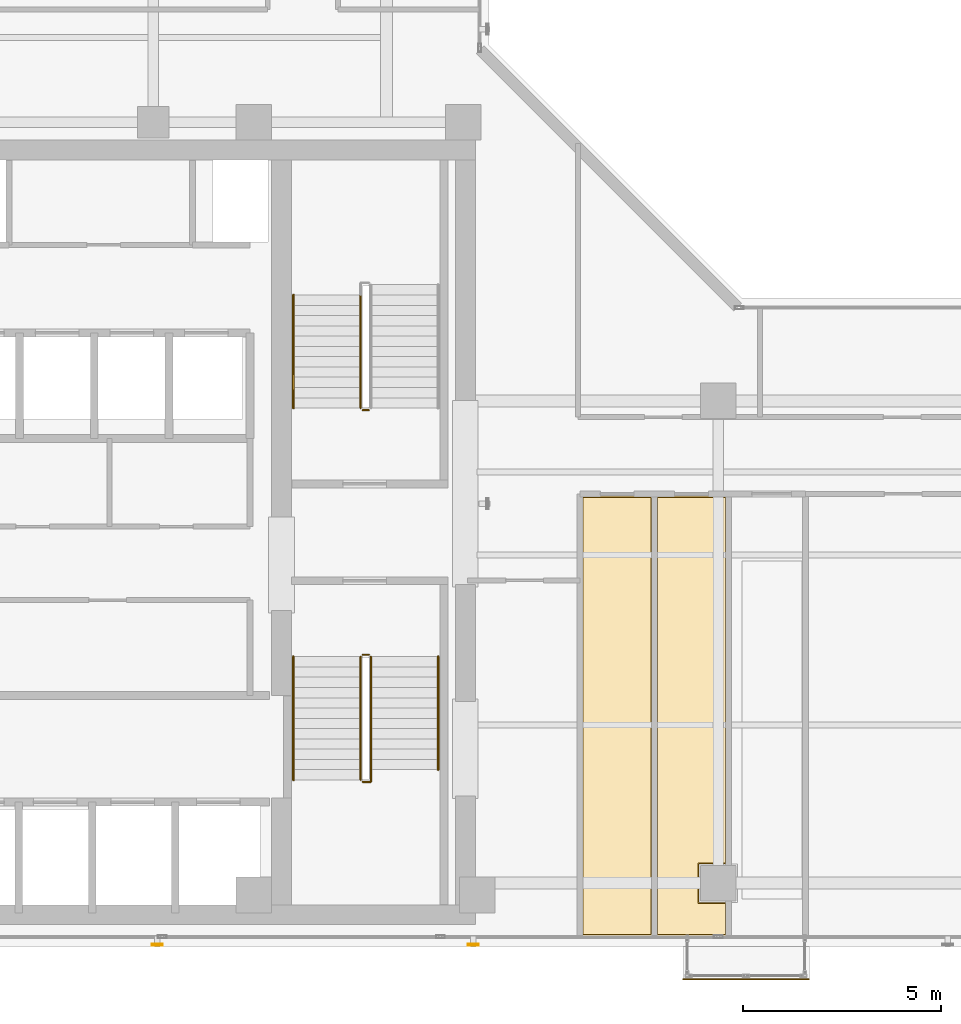
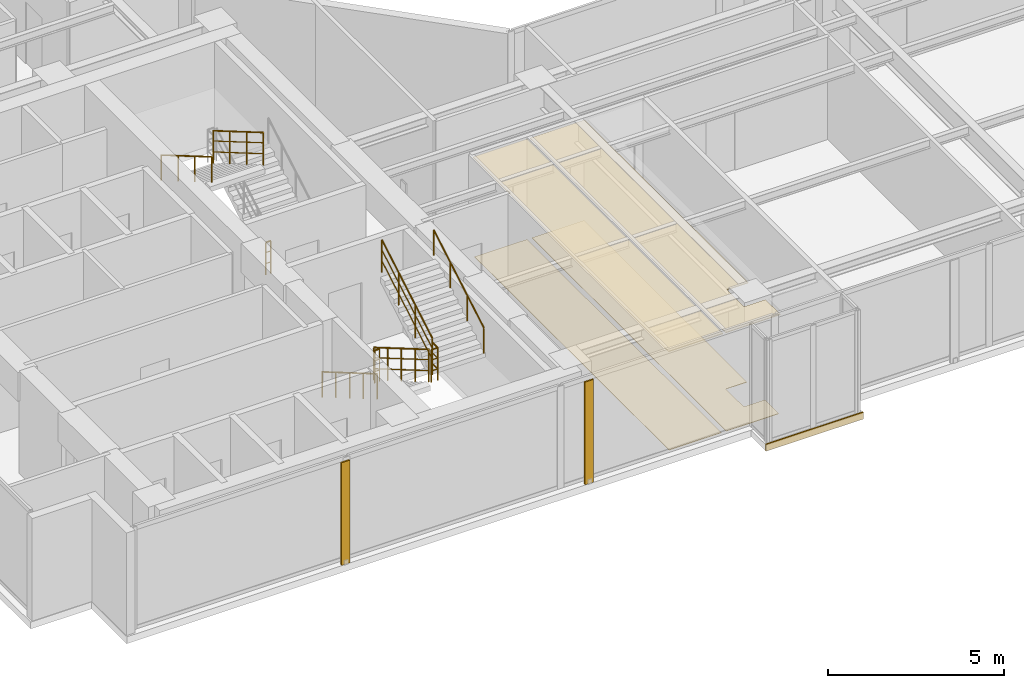
# One storey, part 20 of 22: 9 railings, 5 coverings, 2 shading devices.
"""IFC4 building model written with IfcOpenShell, lengths in metres."""

from ifc_helpers import new_model, si_unit, direction, frame, origin, origin_2d, place, context, subcontext, project, spatial, polyline, rectangle, hollow_rectangle, circle, outline, extrude, material, layer, layer_set, material_profile, profile_set, type_object, element, save


model = new_model("IFC4")

# Units and contexts
model_context = context("Model", 3, precision=1e-05, world=origin(), true_north=direction((0.0, 1.0)))
body_context = subcontext(model_context, "Body", "Model", "MODEL_VIEW")
ifc_project = project(units=[si_unit("LENGTHUNIT", "METRE"), si_unit("AREAUNIT", "SQUARE_METRE"), si_unit("VOLUMEUNIT", "CUBIC_METRE"), si_unit("PLANEANGLEUNIT", "RADIAN"), si_unit("MASSUNIT", "GRAM", prefix="KILO")], contexts=[model_context])

# Site, building, storey
site_placement = place(None, origin())
site = spatial("IfcSite", under=ifc_project, at=site_placement, CompositionType="ELEMENT")
building_placement = place(site_placement, origin())
building = spatial("IfcBuilding", under=site, at=building_placement, Name="Kolvaren Waterfront Exchange", CompositionType="ELEMENT")
storey_placement = place(building_placement, frame((0.0, 0.0, 262.800048828125)))
storey = spatial("IfcBuildingStorey", under=building, at=storey_placement, Name="L67", CompositionType="ELEMENT", Elevation=262.800048828125)

# Coverings
ifc_material_1 = material(Name="Mineral fibre acoustic ceiling tile")
ifc_layer_1 = layer(ifc_material_1, 0.02490234375, Name="Mineral fibre acoustic ceiling tile")
ifc_layer_set_1 = layer_set([ifc_layer_1], Name="Mineral fibre acoustic ceiling tile")
covering_type_1 = type_object("IfcCoveringType", Name="ARC-CEIL-ACOUSTIC-25", PredefinedType="CEILING", material=ifc_layer_set_1)
covering_1_placement = place(storey_placement, frame((0.0, 0.0, 3.445068359375)))
element("IfcCovering", 1, at=covering_1_placement, inside=storey, type_object=covering_type_1, Name="L67 acoustic suspended ceiling 1", PredefinedType="CEILING", context=body_context, shape_type="SweptSolid", body=[
    extrude(outline(polyline([(25.534912109375, 3.864990234375), (25.534912109375, 14.9951171875), (23.7451171875, 14.9951171875), (23.7451171875, 3.864990234375), (25.534912109375, 3.864990234375)])), origin(), (0.0, 0.0, 1.0), 0.02490234375),
])
covering_2_placement = place(storey_placement, frame((0.0, 0.0, 3.445068359375)))
element("IfcCovering", 2, at=covering_2_placement, inside=storey, type_object=covering_type_1, Name="L67 acoustic suspended ceiling 2", PredefinedType="CEILING", context=body_context, shape_type="SweptSolid", body=[
    extrude(outline(polyline([(27.4150390625, 4.7099609375), (26.7099609375, 4.7099609375), (26.7099609375, 5.68994140625), (27.4150390625, 5.68994140625), (27.4150390625, 14.9951171875), (25.625, 14.9951171875), (25.625, 3.864990234375), (27.4150390625, 3.864990234375), (27.4150390625, 4.7099609375)])), origin(), (0.0, 0.0, 1.0), 0.02490234375),
])
ifc_material_2 = material(Name="Anodised bronze fascia aluminium", Category="aluminium")
ifc_layer_2 = layer(ifc_material_2, 0.034912109375, Name="Anodised bronze fascia aluminium")
ifc_layer_set_2 = layer_set([ifc_layer_2], Name="Anodised bronze fascia aluminium")
covering_type_2 = type_object("IfcCoveringType", Name="ARC-CLAD-BRONZE-35", PredefinedType="CLADDING", material=ifc_layer_set_2)
covering_3_placement = place(storey_placement, frame((27.89990234375, 2.77001953125, -0.22021484375), z_axis=(0.0, 0.0, 1.0), x_axis=(1.0, 0.0, 0.0)))
element("IfcCovering", 3, at=covering_3_placement, inside=storey, type_object=covering_type_2, Name="L67 ribbed anodised bronze bay-box fascia", PredefinedType="CLADDING", context=body_context, shape_type="SweptSolid", body=[
    extrude(rectangle(XDim=3.199951171875, YDim=0.034912109375, at=origin_2d()), origin(), (0.0, 0.0, 1.0), 0.239990234375),
])

# Shading devices
ifc_material_3 = material(Name="Anodised bronze aluminium 6063-T6", Category="aluminium")
ifc_material_profile = material_profile(ifc_material_3, hollow_rectangle(XDim=0.054931640625, YDim=0.280029296875, WallThickness=0.00439453125, at=origin_2d()), Name="BRZ-FIN-280x55x4.5")
ifc_profile_set = profile_set([ifc_material_profile], Name="Anodised bronze aluminium 6063-T6")
shading_device_type = type_object("IfcShadingDeviceType", Name="ARC-FIN-280", PredefinedType="USERDEFINED", material=ifc_profile_set)
for number, where, z_axis, x_axis, name in (
    (4, (13.0, 3.639892578125, 0.0), (0.0, 0.0, 1.0), (0.0, -1.0, 0.0), "L67 anodised bronze solar shading fin FIN-L67-S1"),
    (5, (21.0, 3.639892578125, 0.0), (0.0, 0.0, 1.0), (0.0, -1.0, 0.0), "L67 anodised bronze solar shading fin FIN-L67-S2"),
):
    element("IfcShadingDevice", number, at=place(storey_placement, frame(where, z_axis=z_axis, x_axis=x_axis)), inside=storey, type_object=shading_device_type, Name=name, ObjectType="SOLAR FIN", PredefinedType="USERDEFINED", context=body_context, shape_type="SweptSolid", body=[
        extrude(hollow_rectangle(XDim=0.054931640625, YDim=0.280029296875, WallThickness=0.00439453125, at=origin_2d()), origin(), (0.0, 0.0, 1.0), 3.56005859375),
    ])

# Coverings
ifc_material_4 = material(Name="Slip-resistant porcelain tile")
ifc_layer_3 = layer(ifc_material_4, 0.014892578125, Name="Slip-resistant porcelain tile")
ifc_layer_set_3 = layer_set([ifc_layer_3], Name="Slip-resistant porcelain tile")
covering_type_3 = type_object("IfcCoveringType", Name="ARC-FLR-PORC-15", PredefinedType="FLOORING", material=ifc_layer_set_3)
covering_4_placement = place(storey_placement, origin())
element("IfcCovering", 6, at=covering_4_placement, inside=storey, type_object=covering_type_3, Name="L67 floor finish 1", PredefinedType="FLOORING", context=body_context, shape_type="SweptSolid", body=[
    extrude(outline(polyline([(23.780029296875, 14.9599609375), (23.780029296875, 3.89990234375), (25.5, 3.89990234375), (25.5, 14.9599609375), (23.780029296875, 14.9599609375)])), origin(), (0.0, 0.0, 1.0), 0.014892578125),
])
covering_5_placement = place(storey_placement, origin())
element("IfcCovering", 7, at=covering_5_placement, inside=storey, type_object=covering_type_3, Name="L67 floor finish 2", PredefinedType="FLOORING", context=body_context, shape_type="SweptSolid", body=[
    extrude(outline(polyline([(25.659912109375, 14.9599609375), (25.659912109375, 3.89990234375), (27.3798828125, 3.89990234375), (27.3798828125, 4.68994140625), (26.68994140625, 4.68994140625), (26.68994140625, 5.7099609375), (27.3798828125, 5.7099609375), (27.3798828125, 14.9599609375), (25.659912109375, 14.9599609375)])), origin(), (0.0, 0.0, 1.0), 0.014892578125),
])

# Railings
ifc_material_5 = material(Name="Stainless steel 316", Category="steel")
railing_type_1 = type_object("IfcRailingType", Name="ARC-GUARD-STAIR", PredefinedType="GUARDRAIL", material=ifc_material_5)
railing_1_placement = place(storey_placement, frame((18.14990234375, 10.929931640625, 0.15185546875)))
element("IfcRailing", 8, at=railing_1_placement, inside=storey, type_object=railing_type_1, Name="L67 ST1 stair guard 1", PredefinedType="GUARDRAIL", context=body_context, shape_type="SweptSolid", body=[
    extrude(circle(Radius=0.02392578125, at=origin_2d()), frame((0.0, 0.0, 1.1259765625), z_axis=(0.0, -0.86329090724, 0.504706656858), x_axis=(1.0, 0.0, 0.0)), (0.0, 0.0, 1.0), 3.614013671875),
    extrude(circle(Radius=0.01611328125, at=origin_2d()), frame((0.0, 0.0, 0.390869140625), z_axis=(0.0, -0.86329090724, 0.504706656858), x_axis=(1.0, 0.0, 0.0)), (0.0, 0.0, 1.0), 3.614013671875),
    extrude(circle(Radius=0.01611328125, at=origin_2d()), frame((0.0, 0.0, 0.7705078125), z_axis=(0.0, -0.86329090724, 0.504706656858), x_axis=(1.0, 0.0, 0.0)), (0.0, 0.0, 1.0), 3.614013671875),
    extrude(circle(Radius=0.02099609375, at=origin_2d()), origin(), (0.0, 0.0, 1.0), 1.101806640625),
    extrude(circle(Radius=0.02099609375, at=origin_2d()), frame((0.0, -0.780029296875, 0.4560546875)), (0.0, 0.0, 1.0), 1.101806640625),
    extrude(circle(Radius=0.02099609375, at=origin_2d()), frame((0.0, -1.56005859375, 0.912109375)), (0.0, 0.0, 1.0), 1.101806640625),
    extrude(circle(Radius=0.02099609375, at=origin_2d()), frame((0.0, -2.33984375, 1.367919921875)), (0.0, 0.0, 1.0), 1.101806640625),
    extrude(circle(Radius=0.02099609375, at=origin_2d()), frame((0.0, -3.119873046875, 1.823974609375)), (0.0, 0.0, 1.0), 1.101806640625),
])
railing_2_placement = place(storey_placement, frame((18.199951171875, 7.760009765625, 1.975830078125)))
element("IfcRailing", 9, at=railing_2_placement, inside=storey, type_object=railing_type_1, Name="L67 ST1 stair guard 2", PredefinedType="GUARDRAIL", context=body_context, shape_type="SweptSolid", body=[
    extrude(circle(Radius=0.02392578125, at=origin_2d()), frame((0.0, 0.0, 1.1259765625), z_axis=(1.0, 0.0, 0.0), x_axis=(0.0, 1.0, 0.0)), (0.0, 0.0, 1.0), 0.2099609375),
    extrude(circle(Radius=0.01611328125, at=origin_2d()), frame((0.0, 0.0, 0.390869140625), z_axis=(1.0, 0.0, 0.0), x_axis=(0.0, 1.0, 0.0)), (0.0, 0.0, 1.0), 0.2099609375),
    extrude(circle(Radius=0.01611328125, at=origin_2d()), frame((0.0, 0.0, 0.7705078125), z_axis=(1.0, 0.0, 0.0), x_axis=(0.0, 1.0, 0.0)), (0.0, 0.0, 1.0), 0.2099609375),
    extrude(circle(Radius=0.02392578125, at=origin_2d()), frame((0.2099609375, 0.0, 1.1259765625), z_axis=(0.0, 1.0, 0.0), x_axis=(-1.0, 0.0, 0.0)), (0.0, 0.0, 1.0), 0.31005859375),
    extrude(circle(Radius=0.01611328125, at=origin_2d()), frame((0.2099609375, 0.0, 0.390869140625), z_axis=(0.0, 1.0, 0.0), x_axis=(-1.0, 0.0, 0.0)), (0.0, 0.0, 1.0), 0.31005859375),
    extrude(circle(Radius=0.01611328125, at=origin_2d()), frame((0.2099609375, 0.0, 0.7705078125), z_axis=(0.0, 1.0, 0.0), x_axis=(-1.0, 0.0, 0.0)), (0.0, 0.0, 1.0), 0.31005859375),
    extrude(circle(Radius=0.02099609375, at=origin_2d()), origin(), (0.0, 0.0, 1.0), 1.101806640625),
    extrude(circle(Radius=0.02099609375, at=origin_2d()), frame((0.2099609375, 0.0, 0.0)), (0.0, 0.0, 1.0), 1.101806640625),
    extrude(circle(Radius=0.02099609375, at=origin_2d()), frame((0.2099609375, 0.31005859375, 0.0)), (0.0, 0.0, 1.0), 1.101806640625),
])
railing_3_placement = place(storey_placement, frame((18.409912109375, 8.070068359375, 2.1279296875)))
element("IfcRailing", 10, at=railing_3_placement, inside=storey, type_object=railing_type_1, Name="L67 ST1 stair guard 3", PredefinedType="GUARDRAIL", context=body_context, shape_type="SweptSolid", body=[
    extrude(circle(Radius=0.02392578125, at=origin_2d()), frame((0.0, 0.0, 1.1259765625), z_axis=(0.0, 0.863270611444, 0.50474137082), x_axis=(-1.0, 0.0, 0.0)), (0.0, 0.0, 1.0), 3.312744140625),
    extrude(circle(Radius=0.01611328125, at=origin_2d()), frame((0.0, 0.0, 0.390869140625), z_axis=(0.0, 0.863270611444, 0.50474137082), x_axis=(-1.0, 0.0, 0.0)), (0.0, 0.0, 1.0), 3.312744140625),
    extrude(circle(Radius=0.01611328125, at=origin_2d()), frame((0.0, 0.0, 0.7705078125), z_axis=(0.0, 0.863270611444, 0.50474137082), x_axis=(-1.0, 0.0, 0.0)), (0.0, 0.0, 1.0), 3.312744140625),
    extrude(circle(Radius=0.02099609375, at=origin_2d()), origin(), (0.0, 0.0, 1.0), 1.101806640625),
    extrude(circle(Radius=0.02099609375, at=origin_2d()), frame((0.0, 0.953369140625, 0.557373046875)), (0.0, 0.0, 1.0), 1.101806640625),
    extrude(circle(Radius=0.02099609375, at=origin_2d()), frame((0.0, 1.906494140625, 1.11474609375)), (0.0, 0.0, 1.0), 1.101806640625),
    extrude(circle(Radius=0.02099609375, at=origin_2d()), frame((0.0, 2.85986328125, 1.672119140625)), (0.0, 0.0, 1.0), 1.101806640625),
])
railing_4_placement = place(storey_placement, frame((18.199951171875, 10.97998046875, 0.0)))
element("IfcRailing", 11, at=railing_4_placement, inside=storey, type_object=railing_type_1, Name="L67 ST1 stair guard 4", PredefinedType="GUARDRAIL", context=body_context, shape_type="SweptSolid", body=[
    extrude(circle(Radius=0.02392578125, at=origin_2d()), frame((0.0, 0.0, 1.1259765625), z_axis=(1.0, 0.0, 0.0), x_axis=(0.0, 1.0, 0.0)), (0.0, 0.0, 1.0), 0.16015625),
    extrude(circle(Radius=0.01611328125, at=origin_2d()), frame((0.0, 0.0, 0.390869140625), z_axis=(1.0, 0.0, 0.0), x_axis=(0.0, 1.0, 0.0)), (0.0, 0.0, 1.0), 0.16015625),
    extrude(circle(Radius=0.01611328125, at=origin_2d()), frame((0.0, 0.0, 0.7705078125), z_axis=(1.0, 0.0, 0.0), x_axis=(0.0, 1.0, 0.0)), (0.0, 0.0, 1.0), 0.16015625),
    extrude(circle(Radius=0.02099609375, at=origin_2d()), origin(), (0.0, 0.0, 1.0), 1.101806640625),
    extrude(circle(Radius=0.02099609375, at=origin_2d()), frame((0.16015625, 0.0, 0.0)), (0.0, 0.0, 1.0), 1.101806640625),
])
railing_5_placement = place(storey_placement, frame((18.14990234375, 20.080078125, 2.1279296875)))
element("IfcRailing", 12, at=railing_5_placement, inside=storey, type_object=railing_type_1, Name="L67 ST2 stair guard 3", PredefinedType="GUARDRAIL", context=body_context, shape_type="SweptSolid", body=[
    extrude(circle(Radius=0.02392578125, at=origin_2d()), frame((0.0, 0.0, 1.1259765625), z_axis=(0.0, -0.863289384635, 0.504709261235), x_axis=(1.0, 0.0, 0.0)), (0.0, 0.0, 1.0), 3.31298828125),
    extrude(circle(Radius=0.01611328125, at=origin_2d()), frame((0.0, 0.0, 0.390869140625), z_axis=(0.0, -0.863289384635, 0.504709261235), x_axis=(1.0, 0.0, 0.0)), (0.0, 0.0, 1.0), 3.31298828125),
    extrude(circle(Radius=0.01611328125, at=origin_2d()), frame((0.0, 0.0, 0.7705078125), z_axis=(0.0, -0.863289384635, 0.504709261235), x_axis=(1.0, 0.0, 0.0)), (0.0, 0.0, 1.0), 3.31298828125),
    extrude(circle(Radius=0.02099609375, at=origin_2d()), origin(), (0.0, 0.0, 1.0), 1.101806640625),
    extrude(circle(Radius=0.02099609375, at=origin_2d()), frame((0.0, -0.953369140625, 0.557373046875)), (0.0, 0.0, 1.0), 1.101806640625),
    extrude(circle(Radius=0.02099609375, at=origin_2d()), frame((0.0, -1.90673828125, 1.11474609375)), (0.0, 0.0, 1.0), 1.101806640625),
    extrude(circle(Radius=0.02099609375, at=origin_2d()), frame((0.0, -2.860107421875, 1.672119140625)), (0.0, 0.0, 1.0), 1.101806640625),
])
railing_6_placement = place(storey_placement, frame((18.360107421875, 17.169921875, 0.0)))
element("IfcRailing", 13, at=railing_6_placement, inside=storey, type_object=railing_type_1, Name="L67 ST2 stair guard 4", PredefinedType="GUARDRAIL", context=body_context, shape_type="SweptSolid", body=[
    extrude(circle(Radius=0.02392578125, at=origin_2d()), frame((0.0, 0.0, 1.1259765625), z_axis=(-1.0, 0.0, 0.0), x_axis=(0.0, -1.0, 0.0)), (0.0, 0.0, 1.0), 0.16015625),
    extrude(circle(Radius=0.01611328125, at=origin_2d()), frame((0.0, 0.0, 0.390869140625), z_axis=(-1.0, 0.0, 0.0), x_axis=(0.0, -1.0, 0.0)), (0.0, 0.0, 1.0), 0.16015625),
    extrude(circle(Radius=0.01611328125, at=origin_2d()), frame((0.0, 0.0, 0.7705078125), z_axis=(-1.0, 0.0, 0.0), x_axis=(0.0, -1.0, 0.0)), (0.0, 0.0, 1.0), 0.16015625),
    extrude(circle(Radius=0.02099609375, at=origin_2d()), origin(), (0.0, 0.0, 1.0), 1.101806640625),
    extrude(circle(Radius=0.02099609375, at=origin_2d()), frame((-0.16015625, 0.0, 0.0)), (0.0, 0.0, 1.0), 1.101806640625),
])
railing_type_2 = type_object("IfcRailingType", Name="ARC-HANDRAIL-900", PredefinedType="HANDRAIL", material=ifc_material_5)
railing_7_placement = place(storey_placement, frame((16.449951171875, 10.929931640625, 0.15185546875)))
element("IfcRailing", 14, at=railing_7_placement, inside=storey, type_object=railing_type_2, Name="L67 ST1 stair handrail 1", PredefinedType="HANDRAIL", context=body_context, shape_type="SweptSolid", body=[
    extrude(circle(Radius=0.02392578125, at=origin_2d()), frame((0.0, 0.0, 0.8759765625), z_axis=(0.0, -0.86329090724, 0.504706656858), x_axis=(1.0, 0.0, 0.0)), (0.0, 0.0, 1.0), 3.614013671875),
    extrude(circle(Radius=0.02099609375, at=origin_2d()), origin(), (0.0, 0.0, 1.0), 0.851806640625),
    extrude(circle(Radius=0.02099609375, at=origin_2d()), frame((0.0, -0.780029296875, 0.4560546875)), (0.0, 0.0, 1.0), 0.851806640625),
    extrude(circle(Radius=0.02099609375, at=origin_2d()), frame((0.0, -1.56005859375, 0.912109375)), (0.0, 0.0, 1.0), 0.851806640625),
    extrude(circle(Radius=0.02099609375, at=origin_2d()), frame((0.0, -2.33984375, 1.367919921875)), (0.0, 0.0, 1.0), 0.851806640625),
    extrude(circle(Radius=0.02099609375, at=origin_2d()), frame((0.0, -3.119873046875, 1.823974609375)), (0.0, 0.0, 1.0), 0.851806640625),
])
railing_8_placement = place(storey_placement, frame((20.110107421875, 8.070068359375, 2.1279296875)))
element("IfcRailing", 15, at=railing_8_placement, inside=storey, type_object=railing_type_2, Name="L67 ST1 stair handrail 2", PredefinedType="HANDRAIL", context=body_context, shape_type="SweptSolid", body=[
    extrude(circle(Radius=0.02392578125, at=origin_2d()), frame((0.0, 0.0, 0.8759765625), z_axis=(0.0, 0.863270611444, 0.50474137082), x_axis=(-1.0, 0.0, 0.0)), (0.0, 0.0, 1.0), 3.312744140625),
    extrude(circle(Radius=0.02099609375, at=origin_2d()), origin(), (0.0, 0.0, 1.0), 0.851806640625),
    extrude(circle(Radius=0.02099609375, at=origin_2d()), frame((0.0, 0.953369140625, 0.557373046875)), (0.0, 0.0, 1.0), 0.851806640625),
    extrude(circle(Radius=0.02099609375, at=origin_2d()), frame((0.0, 1.906494140625, 1.11474609375)), (0.0, 0.0, 1.0), 0.851806640625),
    extrude(circle(Radius=0.02099609375, at=origin_2d()), frame((0.0, 2.85986328125, 1.672119140625)), (0.0, 0.0, 1.0), 0.851806640625),
])
railing_9_placement = place(storey_placement, frame((16.449951171875, 20.080078125, 2.1279296875)))
element("IfcRailing", 16, at=railing_9_placement, inside=storey, type_object=railing_type_2, Name="L67 ST2 stair handrail 2", PredefinedType="HANDRAIL", context=body_context, shape_type="SweptSolid", body=[
    extrude(circle(Radius=0.02392578125, at=origin_2d()), frame((0.0, 0.0, 0.8759765625), z_axis=(0.0, -0.863289384635, 0.504709261235), x_axis=(1.0, 0.0, 0.0)), (0.0, 0.0, 1.0), 3.31298828125),
    extrude(circle(Radius=0.02099609375, at=origin_2d()), origin(), (0.0, 0.0, 1.0), 0.851806640625),
    extrude(circle(Radius=0.02099609375, at=origin_2d()), frame((0.0, -0.953369140625, 0.557373046875)), (0.0, 0.0, 1.0), 0.851806640625),
    extrude(circle(Radius=0.02099609375, at=origin_2d()), frame((0.0, -1.90673828125, 1.11474609375)), (0.0, 0.0, 1.0), 0.851806640625),
    extrude(circle(Radius=0.02099609375, at=origin_2d()), frame((0.0, -2.860107421875, 1.672119140625)), (0.0, 0.0, 1.0), 0.851806640625),
])

save(model, "model.ifc")
